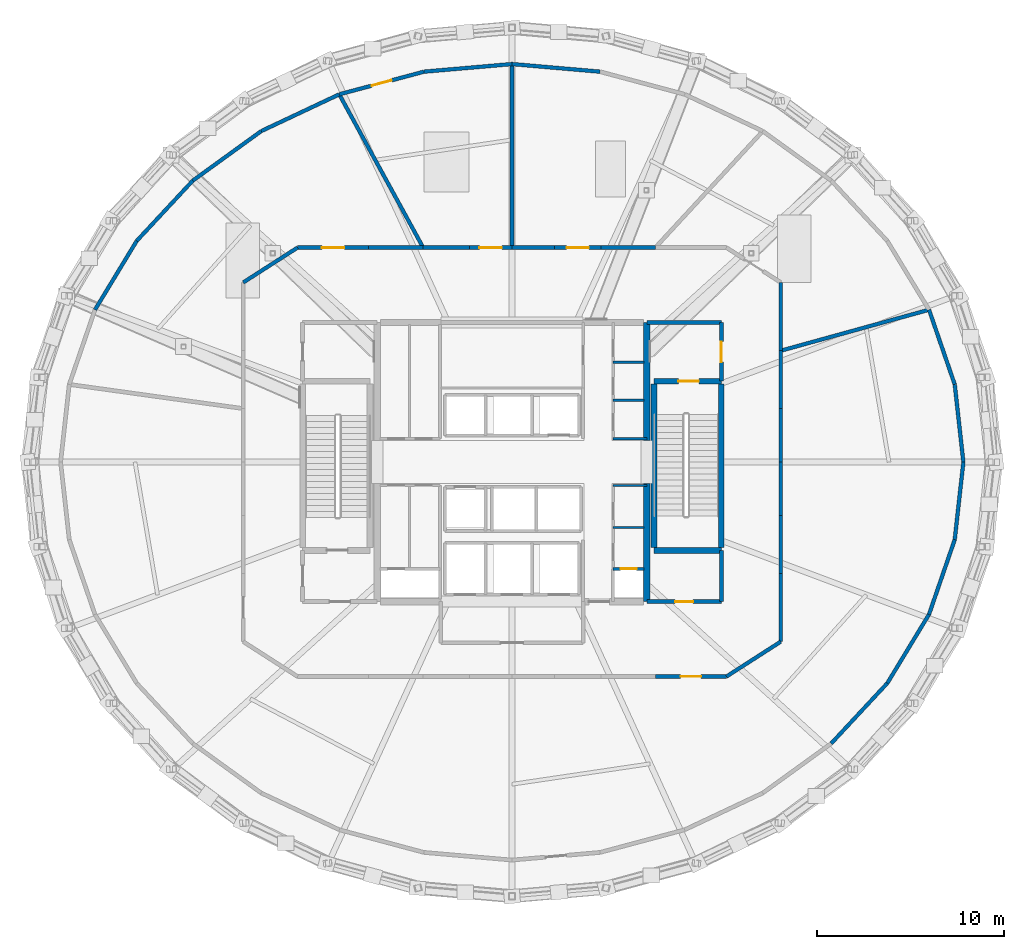
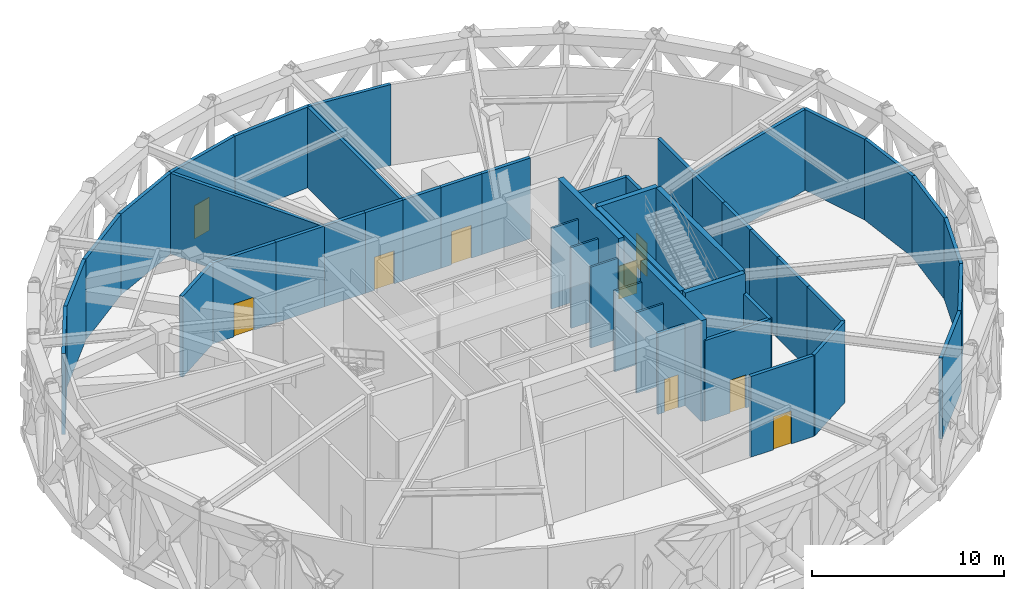
# One storey, part 10 of 15: 48 walls, 9 doors, 9 openings.
"""IFC4 building model written with IfcOpenShell, lengths in metres."""

from ifc_helpers import new_model, si_unit, direction, frame, frame_2d, origin, place, context, subcontext, project, spatial, rectangle, extrude, material, layer, layer_set, type_object, element, fill, save


model = new_model("IFC4")

# Units and contexts
model_context = context("Model", 3, precision=1e-05, world=origin(), true_north=direction((0.0, 1.0)))
body_context = subcontext(model_context, "Body", "Model", "MODEL_VIEW")
ifc_project = project(units=[si_unit("LENGTHUNIT", "METRE"), si_unit("AREAUNIT", "SQUARE_METRE"), si_unit("VOLUMEUNIT", "CUBIC_METRE"), si_unit("PLANEANGLEUNIT", "RADIAN"), si_unit("MASSUNIT", "GRAM", prefix="KILO")], contexts=[model_context])

# Site, building, storey
site_placement = place(None, origin())
site = spatial("IfcSite", under=ifc_project, at=site_placement, CompositionType="ELEMENT")
building_placement = place(site_placement, origin())
building = spatial("IfcBuilding", under=site, at=building_placement, Name="Veldorina Hangang Commons", CompositionType="ELEMENT")
storey_placement = place(building_placement, frame((0.0, 0.0, 208.39990234375)))
storey = spatial("IfcBuildingStorey", under=building, at=storey_placement, Name="L54", CompositionType="ELEMENT", Elevation=208.39990234375)

# Walls
ifc_material_1 = material(Name="Concrete C60/75", Category="concrete")
ifc_layer_1 = layer(ifc_material_1, 0.340087890625)
ifc_layer_set_1 = layer_set([ifc_layer_1], Name="Concrete C60/75")
wall_type_1 = type_object("IfcWallType", Name="CW-RC340-C60", PredefinedType="SHEAR", material=ifc_layer_set_1)
for number, where, z_axis, x_axis, name in (
    (1, (39.199951171875, 16.550048828125, 0.0), (0.0, 0.0, 1.0), (0.0, 1.0, 0.0), "L54 E south core shear wall"),
    (2, (39.199951171875, 25.14990234375, 0.0), (0.0, 0.0, 1.0), (0.0, 1.0, 0.0), "L54 E north core shear wall"),
):
    element("IfcWall", number, at=place(storey_placement, frame(where, z_axis=z_axis, x_axis=x_axis)), inside=storey, type_object=wall_type_1, Name=name, PredefinedType="SHEAR", context=body_context, shape_type="SweptSolid", body=[
        extrude(rectangle(XDim=6.300048828125, YDim=0.340087890625, at=frame_2d((3.14990234375, 0.0))), origin(), (0.0, 0.0, 1.0), 6.400146484375),
    ])
ifc_material_2 = material(Name="Concrete C50/60", Category="concrete")
ifc_layer_2 = layer(ifc_material_2, 0.300048828125)
ifc_layer_set_2 = layer_set([ifc_layer_2], Name="Concrete C50/60")
wall_type_2 = type_object("IfcWallType", Name="SW-STAIR-300", PredefinedType="SHEAR", material=ifc_layer_set_2)
for number, where, z_axis, x_axis, name in (
    (3, (43.179931640625, 19.429931640625, 0.0), (0.0, 0.0, 1.0), (0.0, 1.0, 0.0), "L54 ST2 outer stair shear wall"),
    (4, (39.580078125, 19.429931640625, 0.0), (0.0, 0.0, 1.0), (0.0, 1.0, 0.0), "L54 ST2 inner stair shear wall"),
):
    element("IfcWall", number, at=place(storey_placement, frame(where, z_axis=z_axis, x_axis=x_axis)), inside=storey, type_object=wall_type_2, Name=name, PredefinedType="SHEAR", context=body_context, shape_type="SweptSolid", body=[
        extrude(rectangle(XDim=8.739990234375, YDim=0.300048828125, at=frame_2d((4.3701171875, 0.0))), origin(), (0.0, 0.0, 1.0), 6.400146484375),
    ])
wall_1_placement = place(storey_placement, frame((39.580078125, 19.280029296875, 0.0), z_axis=(0.0, 0.0, 1.0), x_axis=(1.0, 0.0, 0.0)))
element("IfcWall", 5, at=wall_1_placement, inside=storey, type_object=wall_type_2, Name="L54 ST2 south stair shear wall", PredefinedType="SHEAR", context=body_context, shape_type="SweptSolid", body=[
    extrude(rectangle(XDim=3.599853515625, YDim=0.300048828125, at=frame_2d((1.7998046875, 0.0))), origin(), (0.0, 0.0, 1.0), 6.400146484375),
])

# Wall, opening, door
wall_2_placement = place(storey_placement, frame((39.580078125, 28.320068359375, 0.0), z_axis=(0.0, 0.0, 1.0), x_axis=(1.0, 0.0, 0.0)))
wall_2 = element("IfcWall", 6, at=wall_2_placement, inside=storey, type_object=wall_type_2, Name="L54 ST2 north stair shear wall", PredefinedType="SHEAR", context=body_context, shape_type="SweptSolid", body=[
    extrude(rectangle(XDim=3.599853515625, YDim=0.300048828125, at=frame_2d((1.7998046875, 0.0))), origin(), (0.0, 0.0, 1.0), 6.400146484375),
])
opening_1_placement = place(wall_2_placement, frame((1.300048828125, 0.0, 0.0)))
opening_1 = element("IfcOpeningElement", 7, at=opening_1_placement, cuts=wall_2, Name="Opening D-08", PredefinedType="OPENING", context=body_context, shape_type="SweptSolid", body=[
    extrude(rectangle(XDim=1.10009765625, YDim=2.10009765625, at=frame_2d((0.550048828125, 1.050048828125))), frame((0.0, 0.16015625, 0.0), z_axis=(0.0, -1.0, 0.0), x_axis=(1.0, 0.0, 0.0)), (0.0, 0.0, 1.0), 0.320068359375),
])
ifc_material_3 = material(Name="Steel Fire-Rated Smoke Seal", Category="steel")
door_type_1 = type_object("IfcDoorType", Name="DR-FIRE-1100", OperationType="SINGLE_SWING_RIGHT", PredefinedType="DOOR", material=ifc_material_3)
door_1_placement = place(opening_1_placement, origin())
door_1 = element("IfcDoor", 8, at=door_1_placement, inside=storey, type_object=door_type_1, Name="L54 Special Escape Stair ST-2 door", OperationType="SINGLE_SWING_RIGHT", OverallHeight=2.10009765625, OverallWidth=1.10009765625, PredefinedType="DOOR", context=body_context, shape_type="SweptSolid", body=[
    extrude(rectangle(XDim=1.10009765625, YDim=2.10009765625, at=frame_2d((0.550048828125, 1.050048828125))), frame((0.0, 0.02490234375, 0.0), z_axis=(0.0, -1.0, 0.0), x_axis=(1.0, 0.0, 0.0)), (0.0, 0.0, 1.0), 0.050048828125),
])
fill(opening_1, door_1)

ifc_material_4 = material(Name="Gypsum Fire-Rated Twin Stud Wall", Category="gypsum")
ifc_layer_3 = layer(ifc_material_4, 0.159912109375)
ifc_layer_set_3 = layer_set([ifc_layer_3], Name="Gypsum Fire-Rated Twin Stud Wall")
wall_type_3 = type_object("IfcWallType", Name="WL-FIRE-160", PredefinedType="SOLIDWALL", material=ifc_layer_set_3)
wall_3_placement = place(storey_placement, frame((37.39990234375, 18.300048828125, 0.0), z_axis=(0.0, 0.0, 1.0), x_axis=(1.0, 0.0, 0.0)))
wall_3 = element("IfcWall", 9, at=wall_3_placement, inside=storey, type_object=wall_type_3, Name="L54 Plumbing riser wall 039", PredefinedType="SOLIDWALL", context=body_context, shape_type="SweptSolid", body=[
    extrude(rectangle(XDim=1.650146484375, YDim=0.159912109375, at=frame_2d((0.8251953125, 0.0))), origin(), (0.0, 0.0, 1.0), 5.130126953125),
])
opening_2_placement = place(wall_3_placement, frame((0.39501953125, 0.0, 0.0)))
opening_2 = element("IfcOpeningElement", 10, at=opening_2_placement, cuts=wall_3, Name="Opening D-01N", PredefinedType="OPENING", context=body_context, shape_type="SweptSolid", body=[
    extrude(rectangle(XDim=0.860107421875, YDim=2.10009765625, at=frame_2d((0.43017578125, 1.050048828125))), frame((0.0, 0.08984375, 0.0), z_axis=(0.0, -1.0, 0.0), x_axis=(1.0, 0.0, 0.0)), (0.0, 0.0, 1.0), 0.179931640625),
])
ifc_material_5 = material(Name="Timber Fire-Rated Core", Category="wood")
door_type_2 = type_object("IfcDoorType", Name="DR-INT-860", OperationType="SINGLE_SWING_LEFT", PredefinedType="DOOR", material=ifc_material_5)
door_2_placement = place(opening_2_placement, origin())
door_2 = element("IfcDoor", 11, at=door_2_placement, inside=storey, type_object=door_type_2, Name="L54 Plumbing riser access door 014", OperationType="SINGLE_SWING_RIGHT", OverallHeight=2.10009765625, OverallWidth=0.860107421875, PredefinedType="TRAPDOOR", context=body_context, shape_type="SweptSolid", body=[
    extrude(rectangle(XDim=0.860107421875, YDim=2.10009765625, at=frame_2d((0.43017578125, 1.050048828125))), frame((0.0, 0.02490234375, 0.0), z_axis=(0.0, -1.0, 0.0), x_axis=(1.0, 0.0, 0.0)), (0.0, 0.0, 1.0), 0.050048828125),
])
fill(opening_2, door_2)

ifc_material_6 = material(Name="Concrete Blockwork Fire Wall C30/37", Category="masonry")
ifc_layer_4 = layer(ifc_material_6, 0.199951171875)
ifc_layer_set_4 = layer_set([ifc_layer_4], Name="Concrete Blockwork Fire Wall C30/37")
wall_type_4 = type_object("IfcWallType", Name="WL-FIRE-200", PredefinedType="SOLIDWALL", material=ifc_layer_set_4)
wall_4_placement = place(storey_placement, frame((43.179931640625, 28.320068359375, 0.0), z_axis=(0.0, 0.0, 1.0), x_axis=(0.0, 1.0, 0.0)))
wall_4 = element("IfcWall", 12, at=wall_4_placement, inside=storey, type_object=wall_type_4, Name="L54 East vestibule outer wall 003", PredefinedType="SOLIDWALL", context=body_context, shape_type="SweptSolid", body=[
    extrude(rectangle(XDim=3.1298828125, YDim=0.199951171875, at=frame_2d((1.56494140625, 0.0))), origin(), (0.0, 0.0, 1.0), 5.130126953125),
])
opening_3_placement = place(wall_4_placement, frame((1.014892578125, 0.0, 0.0)))
opening_3 = element("IfcOpeningElement", 13, at=opening_3_placement, cuts=wall_4, Name="Opening D-08", PredefinedType="OPENING", context=body_context, shape_type="SweptSolid", body=[
    extrude(rectangle(XDim=1.10009765625, YDim=2.10009765625, at=frame_2d((0.550048828125, 1.050048828125))), frame((0.0, 0.10986328125, 0.0), z_axis=(0.0, -1.0, 0.0), x_axis=(1.0, 0.0, 0.0)), (0.0, 0.0, 1.0), 0.219970703125),
])
door_3_placement = place(opening_3_placement, origin())
door_3 = element("IfcDoor", 14, at=door_3_placement, inside=storey, type_object=door_type_1, Name="L54 East vestibule east door 003", OperationType="SINGLE_SWING_RIGHT", OverallHeight=2.10009765625, OverallWidth=1.10009765625, PredefinedType="DOOR", context=body_context, shape_type="SweptSolid", body=[
    extrude(rectangle(XDim=1.10009765625, YDim=2.10009765625, at=frame_2d((0.550048828125, 1.050048828125))), frame((0.0, 0.02490234375, 0.0), z_axis=(0.0, -1.0, 0.0), x_axis=(1.0, 0.0, 0.0)), (0.0, 0.0, 1.0), 0.050048828125),
])
fill(opening_3, door_3)

# Walls
wall_5_placement = place(storey_placement, frame((39.199951171875, 31.449951171875, 0.0), z_axis=(0.0, 0.0, 1.0), x_axis=(1.0, 0.0, 0.0)))
element("IfcWall", 15, at=wall_5_placement, inside=storey, type_object=wall_type_4, Name="L54 East vestibule north wall 004", PredefinedType="SOLIDWALL", context=body_context, shape_type="SweptSolid", body=[
    extrude(rectangle(XDim=3.97998046875, YDim=0.199951171875, at=frame_2d((1.989990234375, 0.0))), origin(), (0.0, 0.0, 1.0), 5.130126953125),
])
wall_6_placement = place(storey_placement, frame((43.179931640625, 16.550048828125, 0.0), z_axis=(0.0, 0.0, 1.0), x_axis=(0.0, 1.0, 0.0)))
element("IfcWall", 16, at=wall_6_placement, inside=storey, type_object=wall_type_4, Name="L54 SE core room outer wall 007", PredefinedType="SOLIDWALL", context=body_context, shape_type="SweptSolid", body=[
    extrude(rectangle(XDim=2.72998046875, YDim=0.199951171875, at=frame_2d((1.364990234375, 0.0))), origin(), (0.0, 0.0, 1.0), 5.130126953125),
])

# Wall, opening, door
wall_7_placement = place(storey_placement, frame((39.199951171875, 16.550048828125, 0.0), z_axis=(0.0, 0.0, 1.0), x_axis=(1.0, 0.0, 0.0)))
wall_7 = element("IfcWall", 17, at=wall_7_placement, inside=storey, type_object=wall_type_4, Name="L54 SE core room south wall 008", PredefinedType="SOLIDWALL", context=body_context, shape_type="SweptSolid", body=[
    extrude(rectangle(XDim=3.97998046875, YDim=0.199951171875, at=frame_2d((1.989990234375, 0.0))), origin(), (0.0, 0.0, 1.0), 5.130126953125),
])
opening_4_placement = place(wall_7_placement, frame((1.514892578125, 0.0, 0.0)))
opening_4 = element("IfcOpeningElement", 18, at=opening_4_placement, cuts=wall_7, Name="Opening D-02", PredefinedType="OPENING", context=body_context, shape_type="SweptSolid", body=[
    extrude(rectangle(XDim=0.949951171875, YDim=2.10009765625, at=frame_2d((0.47509765625, 1.050048828125))), frame((0.0, 0.10986328125, 0.0), z_axis=(0.0, -1.0, 0.0), x_axis=(1.0, 0.0, 0.0)), (0.0, 0.0, 1.0), 0.219970703125),
])
ifc_material_7 = material(Name="Timber Solid Core Acoustic", Category="wood")
door_type_3 = type_object("IfcDoorType", Name="DR-INT-950", OperationType="SINGLE_SWING_LEFT", PredefinedType="DOOR", material=ifc_material_7)
door_4_placement = place(opening_4_placement, origin())
door_4 = element("IfcDoor", 19, at=door_4_placement, inside=storey, type_object=door_type_3, Name="L54 SE core WC door 005", OperationType="SINGLE_SWING_LEFT", OverallHeight=2.10009765625, OverallWidth=0.949951171875, PredefinedType="DOOR", context=body_context, shape_type="SweptSolid", body=[
    extrude(rectangle(XDim=0.949951171875, YDim=2.10009765625, at=frame_2d((0.47509765625, 1.050048828125))), frame((0.0, 0.02490234375, 0.0), z_axis=(0.0, -1.0, 0.0), x_axis=(1.0, 0.0, 0.0)), (0.0, 0.0, 1.0), 0.050048828125),
])
fill(opening_4, door_4)

# Walls
wall_8_placement = place(storey_placement, frame((56.10009765625, 24.0, 0.0), z_axis=(0.0, 0.0, 1.0), x_axis=(-0.111022469206, 0.993817896464, 0.0)))
element("IfcWall", 20, at=wall_8_placement, inside=storey, type_object=wall_type_4, Name="L54 L54 wind-floor compartment wall 00 052", PredefinedType="SOLIDWALL", context=body_context, shape_type="SweptSolid", body=[
    extrude(rectangle(XDim=4.171630859375, YDim=0.199951171875, at=frame_2d((2.0859375, 0.0))), origin(), (0.0, 0.0, 1.0), 5.130126953125),
])
wall_9_placement = place(storey_placement, frame((55.636962890625, 28.145751953125, 0.0), z_axis=(0.0, 0.0, 1.0), x_axis=(-0.325351665006, 0.945593091175, 0.0)))
element("IfcWall", 21, at=wall_9_placement, inside=storey, type_object=wall_type_4, Name="L54 L54 wind-floor compartment wall 01 053", PredefinedType="SOLIDWALL", context=body_context, shape_type="SweptSolid", body=[
    extrude(rectangle(XDim=4.215576171875, YDim=0.199951171875, at=frame_2d((2.10791015625, 0.0))), origin(), (0.0, 0.0, 1.0), 5.130126953125),
])
for number, where, z_axis, x_axis, name in (
    (22, (36.70166015625, 44.841796875, 0.0), (0.0, 0.0, 1.0), (-0.996252226141, 0.086495675673, 0.0), "L54 L54 wind-floor compartment wall 07 059"),
    (23, (32.0, 45.25, 0.0), (0.0, 0.0, 1.0), (-0.996252226141, -0.086495675673, 0.0), "L54 L54 wind-floor compartment wall 08 060"),
):
    element("IfcWall", number, at=place(storey_placement, frame(where, z_axis=z_axis, x_axis=x_axis)), inside=storey, type_object=wall_type_4, Name=name, PredefinedType="SOLIDWALL", context=body_context, shape_type="SweptSolid", body=[
        extrude(rectangle(XDim=4.71923828125, YDim=0.199951171875, at=frame_2d((2.359619140625, 0.0))), origin(), (0.0, 0.0, 1.0), 5.130126953125),
    ])

# Wall, opening, door
wall_10_placement = place(storey_placement, frame((27.29833984375, 44.841796875, 0.0), z_axis=(0.0, 0.0, 1.0), x_axis=(-0.9660285601, -0.258435332473, 0.0)))
wall_10 = element("IfcWall", 24, at=wall_10_placement, inside=storey, type_object=wall_type_4, Name="L54 L54 wind-floor compartment wall 09 061", PredefinedType="SOLIDWALL", context=body_context, shape_type="SweptSolid", body=[
    extrude(rectangle(XDim=4.679931640625, YDim=0.199951171875, at=frame_2d((2.33984375, 0.0))), origin(), (0.0, 0.0, 1.0), 5.130126953125),
])
opening_5_placement = place(wall_10_placement, frame((1.789794921875, 0.0, 0.0)))
opening_5 = element("IfcOpeningElement", 25, at=opening_5_placement, cuts=wall_10, Name="Opening D-08", PredefinedType="OPENING", context=body_context, shape_type="SweptSolid", body=[
    extrude(rectangle(XDim=1.10009765625, YDim=2.10009765625, at=frame_2d((0.550048828125, 1.050048828125))), frame((0.0, 0.10986328125, 0.0), z_axis=(0.0, -1.0, 0.0), x_axis=(1.0, 0.0, 0.0)), (0.0, 0.0, 1.0), 0.219970703125),
])
door_5_placement = place(opening_5_placement, origin())
door_5 = element("IfcDoor", 26, at=door_5_placement, inside=storey, type_object=door_type_1, Name="L54 L54 wind gallery north door 025", OperationType="SINGLE_SWING_LEFT", OverallHeight=2.10009765625, OverallWidth=1.10009765625, PredefinedType="DOOR", context=body_context, shape_type="SweptSolid", body=[
    extrude(rectangle(XDim=1.10009765625, YDim=2.10009765625, at=frame_2d((0.550048828125, 1.050048828125))), frame((0.0, 0.02490234375, 0.0), z_axis=(0.0, -1.0, 0.0), x_axis=(1.0, 0.0, 0.0)), (0.0, 0.0, 1.0), 0.050048828125),
])
fill(opening_5, door_5)

# Walls
wall_11_placement = place(storey_placement, frame((22.77734375, 43.63232421875, 0.0), z_axis=(0.0, 0.0, 1.0), x_axis=(-0.904574703116, -0.426315149253, 0.0)))
element("IfcWall", 27, at=wall_11_placement, inside=storey, type_object=wall_type_4, Name="L54 L54 wind-floor compartment wall 10 062", PredefinedType="SOLIDWALL", context=body_context, shape_type="SweptSolid", body=[
    extrude(rectangle(XDim=4.60595703125, YDim=0.199951171875, at=frame_2d((2.302978515625, 0.0))), origin(), (0.0, 0.0, 1.0), 5.130126953125),
])
wall_12_placement = place(storey_placement, frame((18.61083984375, 41.668701171875, 0.0), z_axis=(0.0, 0.0, 1.0), x_axis=(-0.810131923704, -0.586247615088, 0.0)))
element("IfcWall", 28, at=wall_12_placement, inside=storey, type_object=wall_type_4, Name="L54 L54 wind-floor compartment wall 11 063", PredefinedType="SOLIDWALL", context=body_context, shape_type="SweptSolid", body=[
    extrude(rectangle(XDim=4.508056640625, YDim=0.199951171875, at=frame_2d((2.25390625, 0.0))), origin(), (0.0, 0.0, 1.0), 5.130126953125),
])
wall_13_placement = place(storey_placement, frame((14.958740234375, 39.02587890625, 0.0), z_axis=(0.0, 0.0, 1.0), x_axis=(-0.681317030747, -0.731988458661, 0.0)))
element("IfcWall", 29, at=wall_13_placement, inside=storey, type_object=wall_type_4, Name="L54 L54 wind-floor compartment wall 12 064", PredefinedType="SOLIDWALL", context=body_context, shape_type="SweptSolid", body=[
    extrude(rectangle(XDim=4.39892578125, YDim=0.199951171875, at=frame_2d((2.199462890625, 0.0))), origin(), (0.0, 0.0, 1.0), 5.130126953125),
])
wall_14_placement = place(storey_placement, frame((11.961669921875, 35.805908203125, 0.0), z_axis=(0.0, 0.0, 1.0), x_axis=(-0.518384837447, -0.855147449452, 0.0)))
element("IfcWall", 30, at=wall_14_placement, inside=storey, type_object=wall_type_4, Name="L54 L54 wind-floor compartment wall 13 065", PredefinedType="SOLIDWALL", context=body_context, shape_type="SweptSolid", body=[
    extrude(rectangle(XDim=4.296142578125, YDim=0.199951171875, at=frame_2d((2.14794921875, 0.0))), origin(), (0.0, 0.0, 1.0), 5.130126953125),
])
wall_15_placement = place(storey_placement, frame((49.041259765625, 8.97412109375, 0.0), z_axis=(0.0, 0.0, 1.0), x_axis=(0.681317030747, 0.731988458661, 0.0)))
element("IfcWall", 31, at=wall_15_placement, inside=storey, type_object=wall_type_4, Name="L54 L54 wind-floor compartment wall 28 080", PredefinedType="SOLIDWALL", context=body_context, shape_type="SweptSolid", body=[
    extrude(rectangle(XDim=4.39892578125, YDim=0.199951171875, at=frame_2d((2.199462890625, 0.0))), origin(), (0.0, 0.0, 1.0), 5.130126953125),
])
wall_16_placement = place(storey_placement, frame((52.038330078125, 12.194091796875, 0.0), z_axis=(0.0, 0.0, 1.0), x_axis=(0.518384837447, 0.855147449452, 0.0)))
element("IfcWall", 32, at=wall_16_placement, inside=storey, type_object=wall_type_4, Name="L54 L54 wind-floor compartment wall 29 081", PredefinedType="SOLIDWALL", context=body_context, shape_type="SweptSolid", body=[
    extrude(rectangle(XDim=4.296142578125, YDim=0.199951171875, at=frame_2d((2.14794921875, 0.0))), origin(), (0.0, 0.0, 1.0), 5.130126953125),
])
wall_17_placement = place(storey_placement, frame((54.265380859375, 15.867919921875, 0.0), z_axis=(0.0, 0.0, 1.0), x_axis=(0.325351665006, 0.945593091175, 0.0)))
element("IfcWall", 33, at=wall_17_placement, inside=storey, type_object=wall_type_4, Name="L54 L54 wind-floor compartment wall 30 082", PredefinedType="SOLIDWALL", context=body_context, shape_type="SweptSolid", body=[
    extrude(rectangle(XDim=4.215576171875, YDim=0.199951171875, at=frame_2d((2.10791015625, 0.0))), origin(), (0.0, 0.0, 1.0), 5.130126953125),
])
wall_18_placement = place(storey_placement, frame((55.636962890625, 19.854248046875, 0.0), z_axis=(0.0, 0.0, 1.0), x_axis=(0.111022469206, 0.993817896464, 0.0)))
element("IfcWall", 34, at=wall_18_placement, inside=storey, type_object=wall_type_4, Name="L54 L54 wind-floor compartment wall 31 083", PredefinedType="SOLIDWALL", context=body_context, shape_type="SweptSolid", body=[
    extrude(rectangle(XDim=4.171630859375, YDim=0.199951171875, at=frame_2d((2.0859375, 0.0))), origin(), (0.0, 0.0, 1.0), 5.130126953125),
])
wall_19_placement = place(storey_placement, frame((46.35009765625, 24.0, 0.0), z_axis=(0.0, 0.0, 1.0), x_axis=(0.0, 1.0, 0.0)))
element("IfcWall", 35, at=wall_19_placement, inside=storey, type_object=wall_type_4, Name="L54 Plant corridor wall 00 084", PredefinedType="SOLIDWALL", context=body_context, shape_type="SweptSolid", body=[
    extrude(rectangle(XDim=2.8544921875, YDim=0.199951171875, at=frame_2d((1.42724609375, 0.0))), origin(), (0.0, 0.0, 1.0), 5.130126953125),
])
wall_20_placement = place(storey_placement, frame((46.35009765625, 26.8544921875, 0.0), z_axis=(0.0, 0.0, 1.0), x_axis=(0.0, 1.0, 0.0)))
element("IfcWall", 36, at=wall_20_placement, inside=storey, type_object=wall_type_4, Name="L54 Plant corridor wall 01 085", PredefinedType="SOLIDWALL", context=body_context, shape_type="SweptSolid", body=[
    extrude(rectangle(XDim=3.089599609375, YDim=0.199951171875, at=frame_2d((1.544921875, 0.0))), origin(), (0.0, 0.0, 1.0), 5.130126953125),
])
wall_21_placement = place(storey_placement, frame((46.35009765625, 29.944091796875, 0.0), z_axis=(0.0, 0.0, 1.0), x_axis=(0.0, 1.0, 0.0)))
element("IfcWall", 37, at=wall_21_placement, inside=storey, type_object=wall_type_4, Name="L54 Plant corridor wall 02 086", PredefinedType="SOLIDWALL", context=body_context, shape_type="SweptSolid", body=[
    extrude(rectangle(XDim=3.644287109375, YDim=0.199951171875, at=frame_2d((1.822265625, 0.0))), origin(), (0.0, 0.0, 1.0), 5.130126953125),
])
wall_22_placement = place(storey_placement, frame((39.650634765625, 35.449951171875, 0.0), z_axis=(0.0, 0.0, 1.0), x_axis=(-1.0, 0.0, 0.0)))
element("IfcWall", 38, at=wall_22_placement, inside=storey, type_object=wall_type_4, Name="L54 Plant corridor wall 05 089", PredefinedType="SOLIDWALL", context=body_context, shape_type="SweptSolid", body=[
    extrude(rectangle(XDim=2.907958984375, YDim=0.199951171875, at=frame_2d((1.4541015625, 0.0))), origin(), (0.0, 0.0, 1.0), 5.130126953125),
])

# Wall, opening, door
wall_23_placement = place(storey_placement, frame((36.74267578125, 35.449951171875, 0.0), z_axis=(0.0, 0.0, 1.0), x_axis=(-1.0, 0.0, 0.0)))
wall_23 = element("IfcWall", 39, at=wall_23_placement, inside=storey, type_object=wall_type_4, Name="L54 Plant corridor wall 06 090", PredefinedType="SOLIDWALL", context=body_context, shape_type="SweptSolid", body=[
    extrude(rectangle(XDim=2.465087890625, YDim=0.199951171875, at=frame_2d((1.232421875, 0.0))), origin(), (0.0, 0.0, 1.0), 5.130126953125),
])
opening_6_placement = place(wall_23_placement, frame((0.632568359375, 0.0, 0.0)))
opening_6 = element("IfcOpeningElement", 40, at=opening_6_placement, cuts=wall_23, Name="Opening D-10", PredefinedType="OPENING", context=body_context, shape_type="SweptSolid", body=[
    extrude(rectangle(XDim=1.199951171875, YDim=2.10009765625, at=frame_2d((0.60009765625, 1.050048828125))), frame((0.0, 0.10986328125, 0.0), z_axis=(0.0, -1.0, 0.0), x_axis=(1.0, 0.0, 0.0)), (0.0, 0.0, 1.0), 0.219970703125),
])
ifc_material_8 = material(Name="Steel Heavy-Duty Acoustic Plant", Category="steel")
door_type_4 = type_object("IfcDoorType", Name="DR-PLANT-1200", OperationType="SINGLE_SWING_RIGHT", PredefinedType="DOOR", material=ifc_material_8)
door_6_placement = place(opening_6_placement, origin())
door_6 = element("IfcDoor", 41, at=door_6_placement, inside=storey, type_object=door_type_4, Name="L54 Air Handling Unit Mechanical Plant Room door 029", OperationType="SINGLE_SWING_LEFT", OverallHeight=2.10009765625, OverallWidth=1.199951171875, PredefinedType="DOOR", context=body_context, shape_type="SweptSolid", body=[
    extrude(rectangle(XDim=1.199951171875, YDim=2.10009765625, at=frame_2d((0.60009765625, 1.050048828125))), frame((0.0, 0.02490234375, 0.0), z_axis=(0.0, -1.0, 0.0), x_axis=(1.0, 0.0, 0.0)), (0.0, 0.0, 1.0), 0.050048828125),
])
fill(opening_6, door_6)

# Wall
wall_24_placement = place(storey_placement, frame((34.277587890625, 35.449951171875, 0.0), z_axis=(0.0, 0.0, 1.0), x_axis=(-1.0, 0.0, 0.0)))
element("IfcWall", 42, at=wall_24_placement, inside=storey, type_object=wall_type_4, Name="L54 Plant corridor wall 07 091", PredefinedType="SOLIDWALL", context=body_context, shape_type="SweptSolid", body=[
    extrude(rectangle(XDim=2.277587890625, YDim=0.199951171875, at=frame_2d((1.138671875, 0.0))), origin(), (0.0, 0.0, 1.0), 5.130126953125),
])

# Wall, opening, door
wall_25_placement = place(storey_placement, frame((32.0, 35.449951171875, 0.0), z_axis=(0.0, 0.0, 1.0), x_axis=(-1.0, 0.0, 0.0)))
wall_25 = element("IfcWall", 43, at=wall_25_placement, inside=storey, type_object=wall_type_4, Name="L54 Plant corridor wall 08 092", PredefinedType="SOLIDWALL", context=body_context, shape_type="SweptSolid", body=[
    extrude(rectangle(XDim=2.277587890625, YDim=0.199951171875, at=frame_2d((1.138671875, 0.0))), origin(), (0.0, 0.0, 1.0), 5.130126953125),
])
opening_7_placement = place(wall_25_placement, frame((0.538818359375, 0.0, 0.0)))
opening_7 = element("IfcOpeningElement", 44, at=opening_7_placement, cuts=wall_25, Name="Opening D-10", PredefinedType="OPENING", context=body_context, shape_type="SweptSolid", body=[
    extrude(rectangle(XDim=1.199951171875, YDim=2.10009765625, at=frame_2d((0.60009765625, 1.050048828125))), frame((0.0, 0.10986328125, 0.0), z_axis=(0.0, -1.0, 0.0), x_axis=(1.0, 0.0, 0.0)), (0.0, 0.0, 1.0), 0.219970703125),
])
door_7_placement = place(opening_7_placement, origin())
door_7 = element("IfcDoor", 45, at=door_7_placement, inside=storey, type_object=door_type_4, Name="L54 Domestic and Fire Booster Pump Room door 030", OperationType="SINGLE_SWING_RIGHT", OverallHeight=2.10009765625, OverallWidth=1.199951171875, PredefinedType="DOOR", context=body_context, shape_type="SweptSolid", body=[
    extrude(rectangle(XDim=1.199951171875, YDim=2.10009765625, at=frame_2d((0.60009765625, 1.050048828125))), frame((0.0, 0.02490234375, 0.0), z_axis=(0.0, -1.0, 0.0), x_axis=(1.0, 0.0, 0.0)), (0.0, 0.0, 1.0), 0.050048828125),
])
fill(opening_7, door_7)

# Walls
wall_26_placement = place(storey_placement, frame((29.722412109375, 35.449951171875, 0.0), z_axis=(0.0, 0.0, 1.0), x_axis=(-1.0, 0.0, 0.0)))
element("IfcWall", 46, at=wall_26_placement, inside=storey, type_object=wall_type_4, Name="L54 Plant corridor wall 09 093", PredefinedType="SOLIDWALL", context=body_context, shape_type="SweptSolid", body=[
    extrude(rectangle(XDim=2.465087890625, YDim=0.199951171875, at=frame_2d((1.232421875, 0.0))), origin(), (0.0, 0.0, 1.0), 5.130126953125),
])
wall_27_placement = place(storey_placement, frame((27.25732421875, 35.449951171875, 0.0), z_axis=(0.0, 0.0, 1.0), x_axis=(-1.0, 0.0, 0.0)))
element("IfcWall", 47, at=wall_27_placement, inside=storey, type_object=wall_type_4, Name="L54 Plant corridor wall 10 094", PredefinedType="SOLIDWALL", context=body_context, shape_type="SweptSolid", body=[
    extrude(rectangle(XDim=2.907958984375, YDim=0.199951171875, at=frame_2d((1.4541015625, 0.0))), origin(), (0.0, 0.0, 1.0), 5.130126953125),
])

# Wall, opening, door
wall_28_placement = place(storey_placement, frame((24.349365234375, 35.449951171875, 0.0), z_axis=(0.0, 0.0, 1.0), x_axis=(-1.0, 0.0, 0.0)))
wall_28 = element("IfcWall", 48, at=wall_28_placement, inside=storey, type_object=wall_type_4, Name="L54 Plant corridor wall 11 095", PredefinedType="SOLIDWALL", context=body_context, shape_type="SweptSolid", body=[
    extrude(rectangle(XDim=3.79931640625, YDim=0.199951171875, at=frame_2d((1.899658203125, 0.0))), origin(), (0.0, 0.0, 1.0), 5.130126953125),
])
opening_8_placement = place(wall_28_placement, frame((1.2998046875, 0.0, 0.0)))
opening_8 = element("IfcOpeningElement", 49, at=opening_8_placement, cuts=wall_28, Name="Opening D-10", PredefinedType="OPENING", context=body_context, shape_type="SweptSolid", body=[
    extrude(rectangle(XDim=1.199951171875, YDim=2.10009765625, at=frame_2d((0.60009765625, 1.050048828125))), frame((0.0, 0.10986328125, 0.0), z_axis=(0.0, -1.0, 0.0), x_axis=(1.0, 0.0, 0.0)), (0.0, 0.0, 1.0), 0.219970703125),
])
door_8_placement = place(opening_8_placement, origin())
door_8 = element("IfcDoor", 50, at=door_8_placement, inside=storey, type_object=door_type_4, Name="L54 High-Voltage Electrical Switchgear Room door 031", OperationType="SINGLE_SWING_LEFT", OverallHeight=2.10009765625, OverallWidth=1.199951171875, PredefinedType="DOOR", context=body_context, shape_type="SweptSolid", body=[
    extrude(rectangle(XDim=1.199951171875, YDim=2.10009765625, at=frame_2d((0.60009765625, 1.050048828125))), frame((0.0, 0.02490234375, 0.0), z_axis=(0.0, -1.0, 0.0), x_axis=(1.0, 0.0, 0.0)), (0.0, 0.0, 1.0), 0.050048828125),
])
fill(opening_8, door_8)

# Wall
wall_29_placement = place(storey_placement, frame((20.550048828125, 35.449951171875, 0.0), z_axis=(0.0, 0.0, 1.0), x_axis=(-0.841548863049, -0.540180998464, 0.0)))
element("IfcWall", 51, at=wall_29_placement, inside=storey, type_object=wall_type_4, Name="L54 Plant corridor wall 12 096", PredefinedType="SOLIDWALL", context=body_context, shape_type="SweptSolid", body=[
    extrude(rectangle(XDim=3.4462890625, YDim=0.199951171875, at=frame_2d((1.72314453125, 0.0))), origin(), (0.0, 0.0, 1.0), 5.130126953125),
])

# Wall, opening, door
wall_30_placement = place(storey_placement, frame((39.650634765625, 12.550048828125, 0.0), z_axis=(0.0, 0.0, 1.0), x_axis=(1.0, 0.0, 0.0)))
wall_30 = element("IfcWall", 52, at=wall_30_placement, inside=storey, type_object=wall_type_4, Name="L54 Plant corridor wall 27 111", PredefinedType="SOLIDWALL", context=body_context, shape_type="SweptSolid", body=[
    extrude(rectangle(XDim=3.79931640625, YDim=0.199951171875, at=frame_2d((1.899658203125, 0.0))), origin(), (0.0, 0.0, 1.0), 5.130126953125),
])
opening_9_placement = place(wall_30_placement, frame((1.349609375, 0.0, 0.0)))
opening_9 = element("IfcOpeningElement", 53, at=opening_9_placement, cuts=wall_30, Name="Opening D-08", PredefinedType="OPENING", context=body_context, shape_type="SweptSolid", body=[
    extrude(rectangle(XDim=1.10009765625, YDim=2.10009765625, at=frame_2d((0.550048828125, 1.050048828125))), frame((0.0, 0.10986328125, 0.0), z_axis=(0.0, -1.0, 0.0), x_axis=(1.0, 0.0, 0.0)), (0.0, 0.0, 1.0), 0.219970703125),
])
door_9_placement = place(opening_9_placement, origin())
door_9 = element("IfcDoor", 54, at=door_9_placement, inside=storey, type_object=door_type_1, Name="L54 Refuge east corridor door 027", OperationType="SINGLE_SWING_LEFT", OverallHeight=2.10009765625, OverallWidth=1.10009765625, PredefinedType="DOOR", context=body_context, shape_type="SweptSolid", body=[
    extrude(rectangle(XDim=1.10009765625, YDim=2.10009765625, at=frame_2d((0.550048828125, 1.050048828125))), frame((0.0, 0.02490234375, 0.0), z_axis=(0.0, -1.0, 0.0), x_axis=(1.0, 0.0, 0.0)), (0.0, 0.0, 1.0), 0.050048828125),
])
fill(opening_9, door_9)

# Walls
wall_31_placement = place(storey_placement, frame((43.449951171875, 12.550048828125, 0.0), z_axis=(0.0, 0.0, 1.0), x_axis=(0.841548863049, 0.540180998464, 0.0)))
element("IfcWall", 55, at=wall_31_placement, inside=storey, type_object=wall_type_4, Name="L54 Plant corridor wall 28 112", PredefinedType="SOLIDWALL", context=body_context, shape_type="SweptSolid", body=[
    extrude(rectangle(XDim=3.4462890625, YDim=0.199951171875, at=frame_2d((1.72314453125, 0.0))), origin(), (0.0, 0.0, 1.0), 5.130126953125),
])
wall_32_placement = place(storey_placement, frame((46.35009765625, 14.41162109375, 0.0), z_axis=(0.0, 0.0, 1.0), x_axis=(0.0, 1.0, 0.0)))
element("IfcWall", 56, at=wall_32_placement, inside=storey, type_object=wall_type_4, Name="L54 Plant corridor wall 29 113", PredefinedType="SOLIDWALL", context=body_context, shape_type="SweptSolid", body=[
    extrude(rectangle(XDim=3.644287109375, YDim=0.199951171875, at=frame_2d((1.822265625, 0.0))), origin(), (0.0, 0.0, 1.0), 5.130126953125),
])
wall_33_placement = place(storey_placement, frame((46.35009765625, 18.055908203125, 0.0), z_axis=(0.0, 0.0, 1.0), x_axis=(0.0, 1.0, 0.0)))
element("IfcWall", 57, at=wall_33_placement, inside=storey, type_object=wall_type_4, Name="L54 Plant corridor wall 30 114", PredefinedType="SOLIDWALL", context=body_context, shape_type="SweptSolid", body=[
    extrude(rectangle(XDim=3.089599609375, YDim=0.199951171875, at=frame_2d((1.544921875, 0.0))), origin(), (0.0, 0.0, 1.0), 5.130126953125),
])
wall_34_placement = place(storey_placement, frame((46.35009765625, 21.1455078125, 0.0), z_axis=(0.0, 0.0, 1.0), x_axis=(0.0, 1.0, 0.0)))
element("IfcWall", 58, at=wall_34_placement, inside=storey, type_object=wall_type_4, Name="L54 Plant corridor wall 31 115", PredefinedType="SOLIDWALL", context=body_context, shape_type="SweptSolid", body=[
    extrude(rectangle(XDim=2.8544921875, YDim=0.199951171875, at=frame_2d((1.42724609375, 0.0))), origin(), (0.0, 0.0, 1.0), 5.130126953125),
])
wall_35_placement = place(storey_placement, frame((46.35009765625, 29.944091796875, 0.0), z_axis=(0.0, 0.0, 1.0), x_axis=(0.963853201809, 0.266433866772, 0.0)))
element("IfcWall", 59, at=wall_35_placement, inside=storey, type_object=wall_type_4, Name="L54 Refuge east outer fire wall 117", PredefinedType="SOLIDWALL", context=body_context, shape_type="SweptSolid", body=[
    extrude(rectangle(XDim=8.212158203125, YDim=0.199951171875, at=frame_2d((4.10595703125, 0.0))), origin(), (0.0, 0.0, 1.0), 5.130126953125),
])
wall_36_placement = place(storey_placement, frame((32.0, 35.449951171875, 0.0), z_axis=(0.0, 0.0, 1.0), x_axis=(0.0, 1.0, 0.0)))
element("IfcWall", 60, at=wall_36_placement, inside=storey, type_object=wall_type_4, Name="L54 Domestic and Fire Booster Pump Room divider 119", PredefinedType="SOLIDWALL", context=body_context, shape_type="SweptSolid", body=[
    extrude(rectangle(XDim=9.800048828125, YDim=0.199951171875, at=frame_2d((4.89990234375, 0.0))), origin(), (0.0, 0.0, 1.0), 5.130126953125),
])
wall_37_placement = place(storey_placement, frame((27.25732421875, 35.449951171875, 0.0), z_axis=(0.0, 0.0, 1.0), x_axis=(-0.480245112504, 0.877134329459, 0.0)))
element("IfcWall", 61, at=wall_37_placement, inside=storey, type_object=wall_type_4, Name="L54 High-Voltage Electrical Switchgear Room divider 120", PredefinedType="SOLIDWALL", context=body_context, shape_type="SweptSolid", body=[
    extrude(rectangle(XDim=9.32861328125, YDim=0.199951171875, at=frame_2d((4.664306640625, 0.0))), origin(), (0.0, 0.0, 1.0), 5.130126953125),
])
ifc_material_9 = material(Name="Gypsum Acoustic Stud Partition", Category="gypsum")
ifc_layer_5 = layer(ifc_material_9, 0.1201171875)
ifc_layer_set_5 = layer_set([ifc_layer_5], Name="Gypsum Acoustic Stud Partition")
wall_type_5 = type_object("IfcWallType", Name="WL-PART-120", PredefinedType="PARTITIONING", material=ifc_layer_set_5)
for number, where, z_axis, x_axis, name in (
    (62, (37.39990234375, 25.25, 0.0), (0.0, 0.0, 1.0), (1.0, 0.0, 0.0), "L54 NE strip south return wall 044"),
    (63, (37.39990234375, 22.75, 0.0), (0.0, 0.0, 1.0), (1.0, 0.0, 0.0), "L54 SE strip north return wall 046"),
):
    element("IfcWall", number, at=place(storey_placement, frame(where, z_axis=z_axis, x_axis=x_axis)), inside=storey, type_object=wall_type_5, Name=name, PredefinedType="PARTITIONING", context=body_context, shape_type="SweptSolid", body=[
        extrude(rectangle(XDim=1.800048828125, YDim=0.1201171875, at=frame_2d((0.89990234375, 0.0))), origin(), (0.0, 0.0, 1.0), 5.130126953125),
    ])
for number, where, z_axis, x_axis, name in (
    (64, (37.39990234375, 27.300048828125, 0.0), (0.0, 0.0, 1.0), (1.0, 0.0, 0.0), "L54 NE split 1 049"),
    (65, (37.39990234375, 29.330078125, 0.0), (0.0, 0.0, 1.0), (1.0, 0.0, 0.0), "L54 NE split 2 050"),
    (66, (37.39990234375, 20.5, 0.0), (0.0, 0.0, 1.0), (1.0, 0.0, 0.0), "L54 SE horizontal split 051"),
):
    element("IfcWall", number, at=place(storey_placement, frame(where, z_axis=z_axis, x_axis=x_axis)), inside=storey, type_object=wall_type_5, Name=name, PredefinedType="PARTITIONING", context=body_context, shape_type="SweptSolid", body=[
        extrude(rectangle(XDim=1.650146484375, YDim=0.1201171875, at=frame_2d((0.8251953125, 0.0))), origin(), (0.0, 0.0, 1.0), 5.130126953125),
    ])

save(model, "model.ifc")
